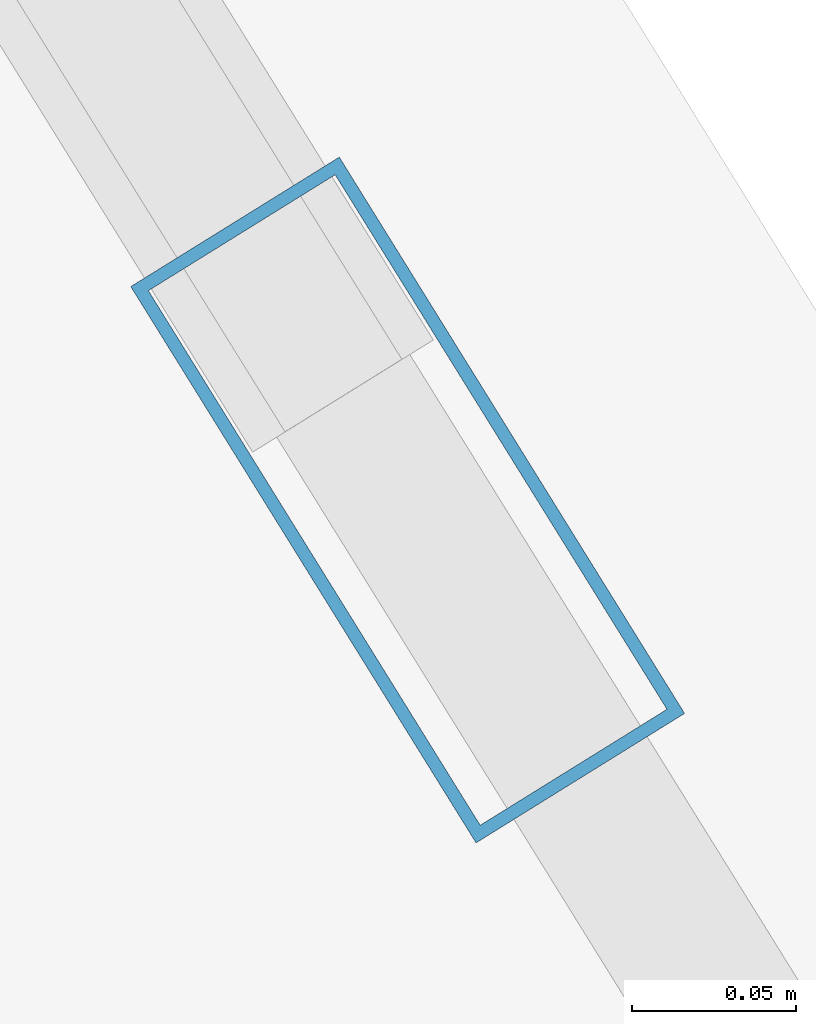
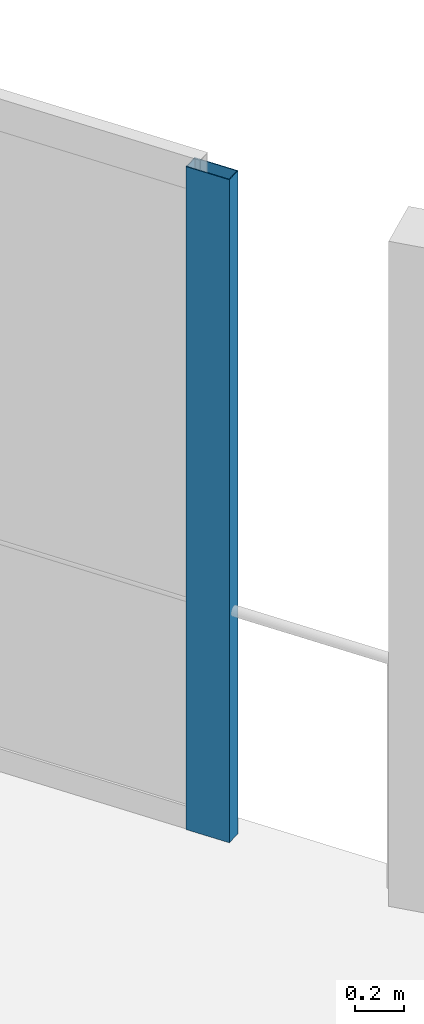
# One storey, part 16 of 24: 1 member, 1 element without a shape of its own.
"""IFC4 building model written with IfcOpenShell, lengths in metres."""

from ifc_helpers import new_model, si_unit, direction, frame, origin, origin_2d, place, context, subcontext, project, spatial, hollow_rectangle, extrude, material, layer, layer_set, material_profile, profile_set, type_object, element, aggregate, save


model = new_model("IFC4")

# Units and contexts
model_context = context("Model", 3, precision=1e-05, world=origin(), true_north=direction((0.0, 1.0)))
body_context = subcontext(model_context, "Body", "Model", "MODEL_VIEW")
ifc_project = project(units=[si_unit("LENGTHUNIT", "METRE"), si_unit("AREAUNIT", "SQUARE_METRE"), si_unit("VOLUMEUNIT", "CUBIC_METRE"), si_unit("PLANEANGLEUNIT", "RADIAN"), si_unit("MASSUNIT", "GRAM", prefix="KILO")], contexts=[model_context])

# Site, building, storey
site_placement = place(None, origin())
site = spatial("IfcSite", under=ifc_project, at=site_placement, CompositionType="ELEMENT")
building_placement = place(site_placement, origin())
building = spatial("IfcBuilding", under=site, at=building_placement, Name="Solvane Sanctuary Tower", CompositionType="ELEMENT")
storey_placement = place(building_placement, frame((0.0, 0.0, 246.0)))
storey = spatial("IfcBuildingStorey", under=building, at=storey_placement, Name="L75", CompositionType="ELEMENT", Elevation=246.0)

# Curtain wall, member
ifc_material = material(Name="Anodised Aluminium 6063-T6", Category="aluminium")
ifc_layer = layer(ifc_material, 0.18994140625, Name="Anodised Aluminium 6063-T6")
ifc_layer_set = layer_set([ifc_layer], Name="Anodised Aluminium 6063-T6")
curtain_wall_type = type_object("IfcCurtainWallType", Name="Curtain Wall CW-OPER", PredefinedType="NOTDEFINED", material=ifc_layer_set)
curtain_wall_placement = place(storey_placement, origin())
curtain_wall = element("IfcCurtainWall", 1, at=curtain_wall_placement, inside=storey, type_object=curtain_wall_type, Name="L75 CW-OPER Facade Run 04", PredefinedType="NOTDEFINED")
ifc_material_profile = material_profile(ifc_material, hollow_rectangle(XDim=0.074951171875, YDim=0.199951171875, WallThickness=0.00390625, at=origin_2d()), Name="ALU200X75X4")
ifc_profile_set = profile_set([ifc_material_profile], Name="Anodised Aluminium 6063-T6")
member_type = type_object("IfcMemberType", Name="Member M-CW-MUL-1 ALU200X75X4", PredefinedType="MULLION", material=ifc_profile_set)
member_placement = place(storey_placement, frame((43.417724609375, 39.398681640625, 0.0), z_axis=(0.0, 0.0, 1.0), x_axis=(-0.849622273102, -0.527391688453, 0.0)))
member = element("IfcMember", 2, at=member_placement, type_object=member_type, Name="CW-OPER mullion 1", PredefinedType="MULLION", context=body_context, shape_type="SweptSolid", body=[
    extrude(hollow_rectangle(XDim=0.074951171875, YDim=0.199951171875, WallThickness=0.00390625, at=origin_2d()), origin(), (0.0, 0.0, 1.0), 3.280029296875),
])
aggregate(curtain_wall, [member])

save(model, "model.ifc")
